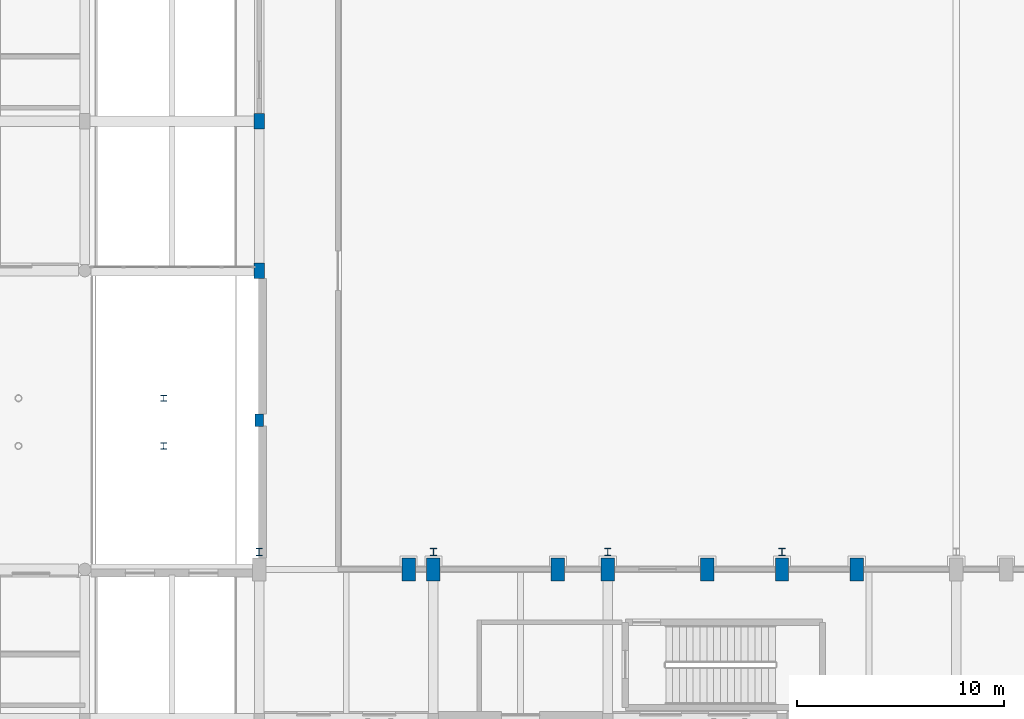
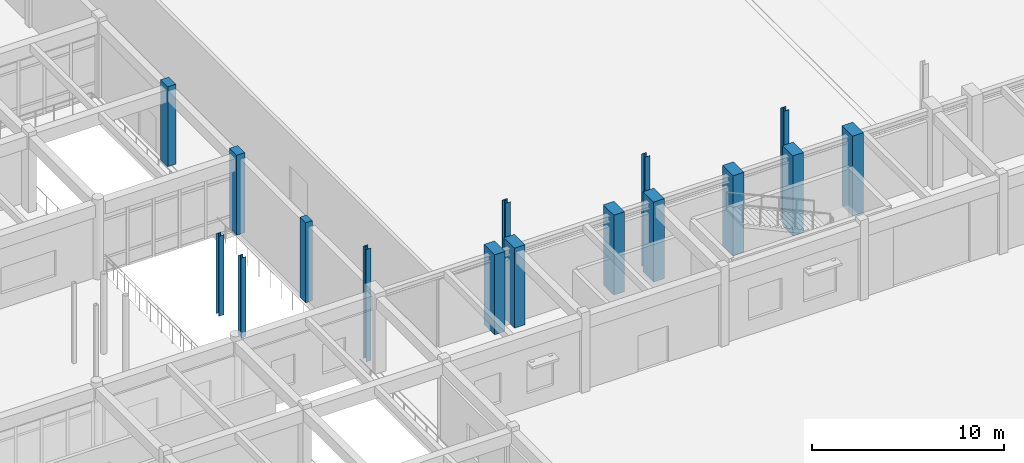
# One storey, part 29 of 121: 16 columns.
"""IFC4 building model written with IfcOpenShell, lengths in metres."""

from ifc_helpers import new_model, si_unit, direction, frame, origin, origin_2d, place, context, subcontext, project, spatial, rectangle, i_section, extrude, material, material_profile, profile_set, type_object, element, save


model = new_model("IFC4")

# Units and contexts
model_context = context("Model", 3, precision=1e-05, world=origin(), true_north=direction((0.0, 1.0)))
body_context = subcontext(model_context, "Body", "Model", "MODEL_VIEW")
ifc_project = project(units=[si_unit("LENGTHUNIT", "METRE"), si_unit("AREAUNIT", "SQUARE_METRE"), si_unit("VOLUMEUNIT", "CUBIC_METRE"), si_unit("PLANEANGLEUNIT", "RADIAN"), si_unit("MASSUNIT", "GRAM", prefix="KILO")], contexts=[model_context])

# Site, building, storey
site_placement = place(None, origin())
site = spatial("IfcSite", under=ifc_project, at=site_placement, CompositionType="ELEMENT")
building_placement = place(site_placement, origin())
building = spatial("IfcBuilding", under=site, at=building_placement, Name="Malvenik Polytechnic", CompositionType="ELEMENT")
storey_placement = place(building_placement, origin())
storey = spatial("IfcBuildingStorey", under=building, at=storey_placement, Name="L00", CompositionType="ELEMENT", Elevation=0.0)

# Columns
ifc_material_1 = material(Name="Concrete C35/45", Category="concrete")
ifc_material_profile_1 = material_profile(ifc_material_1, rectangle(XDim=0.64990234375, YDim=1.10009765625, at=origin_2d()), Name="RC COL 1100x650")
ifc_profile_set_1 = profile_set([ifc_material_profile_1], Name="Concrete C35/45")
column_type_1 = type_object("IfcColumnType", Name="STR-COL-C-12", PredefinedType="COLUMN", material=ifc_profile_set_1)
for number, where, z_axis, x_axis, name in (
    (1, (141.60009765625, 36.0, 0.0), (0.0, 0.0, 1.0), (1.0, 0.0, 0.0), "Column C-12 L00 (141.6,36.0)"),
    (2, (142.800048828125, 36.0, 0.0), (0.0, 0.0, 1.0), (1.0, 0.0, 0.0), "Column C-12 L00 (142.8,36.0)"),
    (3, (148.800048828125, 36.0, 0.0), (0.0, 0.0, 1.0), (1.0, 0.0, 0.0), "Column C-12 L00 (148.8,36.0)"),
    (4, (151.199951171875, 36.0, 0.0), (0.0, 0.0, 1.0), (1.0, 0.0, 0.0), "Column C-12 L00 (151.2,36.0)"),
    (5, (156.0, 36.0, 0.0), (0.0, 0.0, 1.0), (1.0, 0.0, 0.0), "Column C-12 L00 (156.0,36.0)"),
    (6, (159.60009765625, 36.0, 0.0), (0.0, 0.0, 1.0), (1.0, 0.0, 0.0), "Column C-12 L00 (159.6,36.0)"),
    (7, (163.199951171875, 36.0, 0.0), (0.0, 0.0, 1.0), (1.0, 0.0, 0.0), "Column C-12 L00 (163.2,36.0)"),
):
    element("IfcColumn", number, at=place(storey_placement, frame(where, z_axis=z_axis, x_axis=x_axis)), inside=storey, type_object=column_type_1, Name=name, PredefinedType="COLUMN", context=body_context, shape_type="SweptSolid", body=[
        extrude(rectangle(XDim=0.64990234375, YDim=1.10009765625, at=origin_2d()), origin(), (0.0, 0.0, 1.0), 5.10009765625),
    ])
ifc_material_profile_2 = material_profile(ifc_material_1, rectangle(XDim=0.5, YDim=0.75, at=origin_2d()), Name="RC COL 750x500")
ifc_profile_set_2 = profile_set([ifc_material_profile_2], Name="Concrete C35/45")
column_type_2 = type_object("IfcColumnType", Name="STR-COL-C-14", PredefinedType="COLUMN", material=ifc_profile_set_2)
for number, where, z_axis, x_axis, name in (
    (8, (134.39990234375, 50.39990234375, 0.0), (0.0, 0.0, 1.0), (1.0, 0.0, 0.0), "Column C-14 L00 (134.4,50.4)"),
    (9, (134.39990234375, 57.60009765625, 0.0), (0.0, 0.0, 1.0), (1.0, 0.0, 0.0), "Column C-14 L00 (134.4,57.6)"),
):
    element("IfcColumn", number, at=place(storey_placement, frame(where, z_axis=z_axis, x_axis=x_axis)), inside=storey, type_object=column_type_2, Name=name, PredefinedType="COLUMN", context=body_context, shape_type="SweptSolid", body=[
        extrude(rectangle(XDim=0.5, YDim=0.75, at=origin_2d()), origin(), (0.0, 0.0, 1.0), 5.10009765625),
    ])
ifc_material_profile_3 = material_profile(ifc_material_1, rectangle(XDim=0.39990234375, YDim=0.60009765625, at=origin_2d()), Name="RC COL 600x400")
ifc_profile_set_3 = profile_set([ifc_material_profile_3], Name="Concrete C35/45")
column_type_3 = type_object("IfcColumnType", Name="STR-COL-C-15", PredefinedType="COLUMN", material=ifc_profile_set_3)
column_placement = place(storey_placement, frame((134.39990234375, 43.199951171875, 0.0), z_axis=(0.0, 0.0, 1.0), x_axis=(1.0, 0.0, 0.0)))
element("IfcColumn", 10, at=column_placement, inside=storey, type_object=column_type_3, Name="Column C-15 L00 (134.4,43.2)", PredefinedType="COLUMN", context=body_context, shape_type="SweptSolid", body=[
    extrude(rectangle(XDim=0.39990234375, YDim=0.60009765625, at=origin_2d()), origin(), (0.0, 0.0, 1.0), 5.10009765625),
])
ifc_material_2 = material(Name="Steel S355", Category="steel")
ifc_material_profile_4 = material_profile(ifc_material_2, i_section(OverallWidth=0.300048828125, OverallDepth=0.360107421875, WebThickness=0.012451171875, FlangeThickness=0.0224609375, FilletRadius=0.027099609375, at=origin_2d()), Name="HEB 360")
ifc_profile_set_4 = profile_set([ifc_material_profile_4], Name="Steel S355")
column_type_4 = type_object("IfcColumnType", Name="STR-SCOL-SC-03", PredefinedType="COLUMN", material=ifc_profile_set_4)
for number, where, z_axis, x_axis, name in (
    (11, (134.39990234375, 36.85009765625, 0.0), (0.0, 0.0, 1.0), (1.0, 0.0, 0.0), "Crane Runway Column SC-03 #1.1"),
    (12, (142.800048828125, 36.85009765625, 0.0), (0.0, 0.0, 1.0), (1.0, 0.0, 0.0), "Crane Runway Column SC-03 #1.2"),
    (13, (151.199951171875, 36.85009765625, 0.0), (0.0, 0.0, 1.0), (1.0, 0.0, 0.0), "Crane Runway Column SC-03 #1.3"),
    (14, (159.60009765625, 36.85009765625, 0.0), (0.0, 0.0, 1.0), (1.0, 0.0, 0.0), "Crane Runway Column SC-03 #1.4"),
):
    element("IfcColumn", number, at=place(storey_placement, frame(where, z_axis=z_axis, x_axis=x_axis)), inside=storey, type_object=column_type_4, Name=name, PredefinedType="COLUMN", context=body_context, shape_type="SweptSolid", body=[
        extrude(i_section(OverallWidth=0.300048828125, OverallDepth=0.360107421875, WebThickness=0.012451171875, FlangeThickness=0.0224609375, FilletRadius=0.027099609375, at=origin_2d()), origin(), (0.0, 0.0, 1.0), 7.155029296875),
    ])
ifc_material_profile_5 = material_profile(ifc_material_2, i_section(OverallWidth=0.300048828125, OverallDepth=0.300048828125, WebThickness=0.010986328125, FlangeThickness=0.01904296875, FilletRadius=0.027099609375, at=origin_2d()), Name="HEB 300")
ifc_profile_set_5 = profile_set([ifc_material_profile_5], Name="Steel S355")
column_type_5 = type_object("IfcColumnType", Name="STR-SCOL-SC-05", PredefinedType="COLUMN", material=ifc_profile_set_5)
for number, where, z_axis, x_axis, name in (
    (15, (129.800048828125, 41.949951171875, 0.0), (0.0, 0.0, 1.0), (1.0, 0.0, 0.0), "Bridge-Ramp Support Column SC-05 L00"),
    (16, (129.800048828125, 44.25, 0.0), (0.0, 0.0, 1.0), (1.0, 0.0, 0.0), "Bridge-Ramp Support Column SC-05 L00"),
):
    element("IfcColumn", number, at=place(storey_placement, frame(where, z_axis=z_axis, x_axis=x_axis)), inside=storey, type_object=column_type_5, Name=name, PredefinedType="COLUMN", context=body_context, shape_type="SweptSolid", body=[
        extrude(i_section(OverallWidth=0.300048828125, OverallDepth=0.300048828125, WebThickness=0.010986328125, FlangeThickness=0.01904296875, FilletRadius=0.027099609375, at=origin_2d()), origin(), (0.0, 0.0, 1.0), 5.10009765625),
    ])

save(model, "model.ifc")
